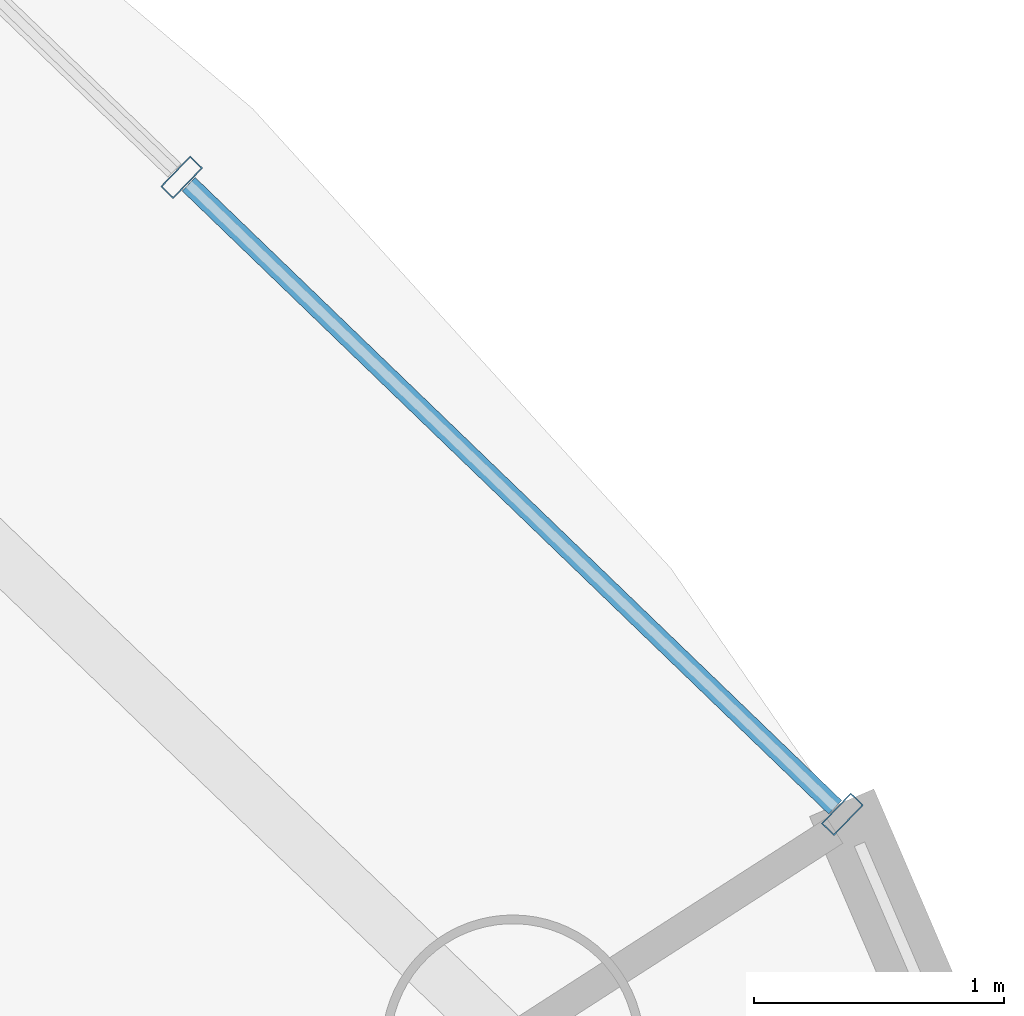
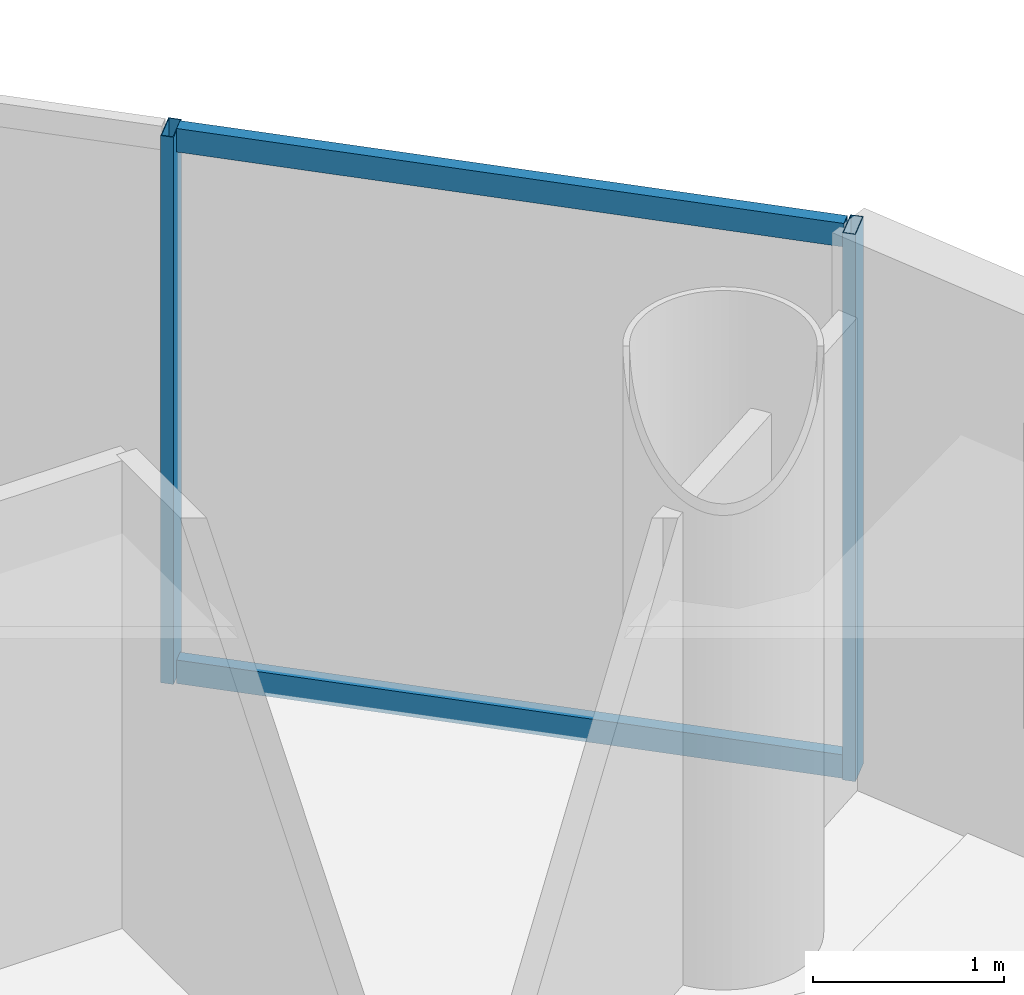
# One storey, part 13 of 24: 4 members, 1 element without a shape of its own.
"""IFC4 building model written with IfcOpenShell, lengths in metres."""

from ifc_helpers import new_model, si_unit, direction, frame, origin, origin_2d, place, context, subcontext, project, spatial, hollow_rectangle, extrude, source, transform, mapped, material, material_profile, profile_set, type_object, element, aggregate, save


model = new_model("IFC4")

# Units and contexts
model_context = context("Model", 3, precision=1e-05, world=origin(), true_north=direction((-0.2419218956, 0.970295726276)))
body_context = subcontext(model_context, "Body", "Model", "MODEL_VIEW")
ifc_project = project(units=[si_unit("LENGTHUNIT", "METRE"), si_unit("AREAUNIT", "SQUARE_METRE"), si_unit("VOLUMEUNIT", "CUBIC_METRE"), si_unit("PLANEANGLEUNIT", "RADIAN"), si_unit("MASSUNIT", "GRAM", prefix="KILO")], contexts=[model_context])

# Site, building, storey
site_placement = place(None, origin())
site = spatial("IfcSite", under=ifc_project, at=site_placement, CompositionType="ELEMENT")
building_placement = place(site_placement, origin())
building = spatial("IfcBuilding", under=site, at=building_placement, Name="Cobrevalo Terracotta Tower", CompositionType="ELEMENT")
storey_placement = place(building_placement, frame((0.0, 0.0, 293.199951171875)))
storey = spatial("IfcBuildingStorey", under=building, at=storey_placement, Name="L77", CompositionType="ELEMENT", Elevation=293.199951171875)

# Curtain wall, members
ifc_material = material(Name="Anodized aluminium", Category="aluminium")
curtain_wall_type = type_object("IfcCurtainWallType", Name="Upper-tower triple-glazed penthouse curtain wall CW-U3", PredefinedType="NOTDEFINED", material=ifc_material)
curtain_wall_placement = place(storey_placement, origin())
curtain_wall = element("IfcCurtainWall", 1, at=curtain_wall_placement, inside=storey, type_object=curtain_wall_type, Name="L77 curtain wall CW-L77-S02", PredefinedType="NOTDEFINED")
ifc_material_profile_1 = material_profile(ifc_material, hollow_rectangle(XDim=0.070068359375, YDim=0.169921875, WallThickness=0.00439453125, at=origin_2d()), Name="CWM 70x170")
ifc_profile_set_1 = profile_set([ifc_material_profile_1], Name="Anodized aluminium")
member_type_1 = type_object("IfcMemberType", Name="Upper tower unitised mullion 70x170", PredefinedType="MULLION", material=ifc_profile_set_1)
shared_shape_1 = source(origin(), body_context, "Body", "SweptSolid", [
    extrude(hollow_rectangle(XDim=0.070068359375, YDim=0.169921875, WallThickness=0.00439453125, at=origin_2d()), origin(), (0.0, 0.0, 1.0), 3.489990234375),
])
member_1_placement = place(storey_placement, frame((54.07666015625, 37.2001953125, 0.0), z_axis=(0.0, 0.0, 1.0), x_axis=(-0.71999418085, 0.69398010025, 0.0)))
member_1 = element("IfcMember", 2, at=member_1_placement, type_object=member_type_1, Name="CW-L77-S02 vertical mullion 01", PredefinedType="MULLION", context=body_context, shape_type="MappedRepresentation", body=[
    mapped(shared_shape_1, transform((0.0, 0.0, 0.0), scale=1.0)),
])
member_2_placement = place(storey_placement, frame((51.43359375, 39.748046875, 0.0), z_axis=(0.0, 0.0, 1.0), x_axis=(-0.71999418085, 0.69398010025, 0.0)))
member_2 = element("IfcMember", 3, at=member_2_placement, type_object=member_type_1, Name="CW-L77-S02 vertical mullion 02", PredefinedType="MULLION", context=body_context, shape_type="MappedRepresentation", body=[
    mapped(shared_shape_1, transform((0.0, 0.0, 0.0), scale=1.0)),
])
ifc_material_profile_2 = material_profile(ifc_material, hollow_rectangle(XDim=0.074951171875, YDim=0.14990234375, WallThickness=0.00439453125, at=origin_2d()), Name="CWT 75x150")
ifc_profile_set_2 = profile_set([ifc_material_profile_2], Name="Anodized aluminium")
member_type_2 = type_object("IfcMemberType", Name="Tower unitised aluminium transom 75x150", PredefinedType="USERDEFINED", material=ifc_profile_set_2)
shared_shape_2 = source(origin(), body_context, "Body", "SweptSolid", [
    extrude(hollow_rectangle(XDim=0.074951171875, YDim=0.14990234375, WallThickness=0.00439453125, at=origin_2d()), origin(), (0.0, 0.0, 1.0), 3.59130859375),
])
member_3_placement = place(storey_placement, frame((54.0478515625, 37.22802734375, 0.050048828125), z_axis=(-0.720005628362, 0.693968223427, 0.0), x_axis=(-0.693968223427, -0.720005628362, 0.0)))
member_3 = element("IfcMember", 4, at=member_3_placement, type_object=member_type_2, Name="CW-L77-S02 transom B01-T1", ObjectType="TRANSOM", PredefinedType="USERDEFINED", context=body_context, shape_type="MappedRepresentation", body=[
    mapped(shared_shape_2, transform((0.0, 0.0, 0.0), scale=1.0)),
])
member_4_placement = place(storey_placement, frame((54.0478515625, 37.22802734375, 3.43994140625), z_axis=(-0.720005628362, 0.693968223427, 0.0), x_axis=(-0.693968223427, -0.720005628362, 0.0)))
member_4 = element("IfcMember", 5, at=member_4_placement, type_object=member_type_2, Name="CW-L77-S02 transom B01-T2", ObjectType="TRANSOM", PredefinedType="USERDEFINED", context=body_context, shape_type="MappedRepresentation", body=[
    mapped(shared_shape_2, transform((0.0, 0.0, 0.0), scale=1.0)),
])
aggregate(curtain_wall, [member_1, member_2, member_3, member_4])

save(model, "model.ifc")
